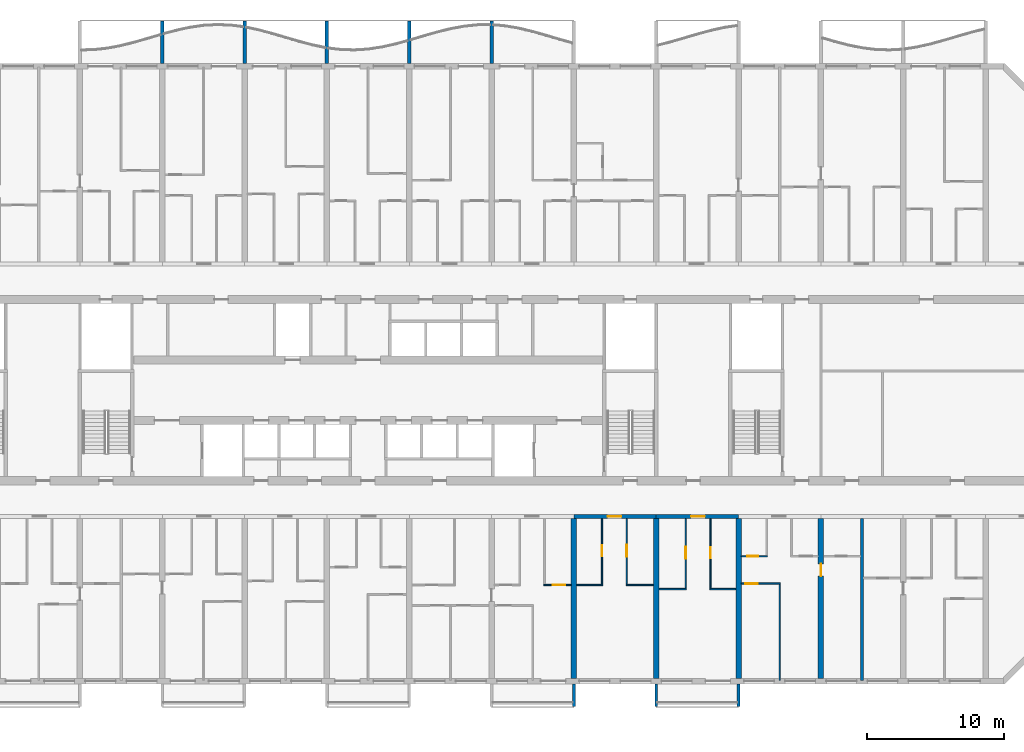
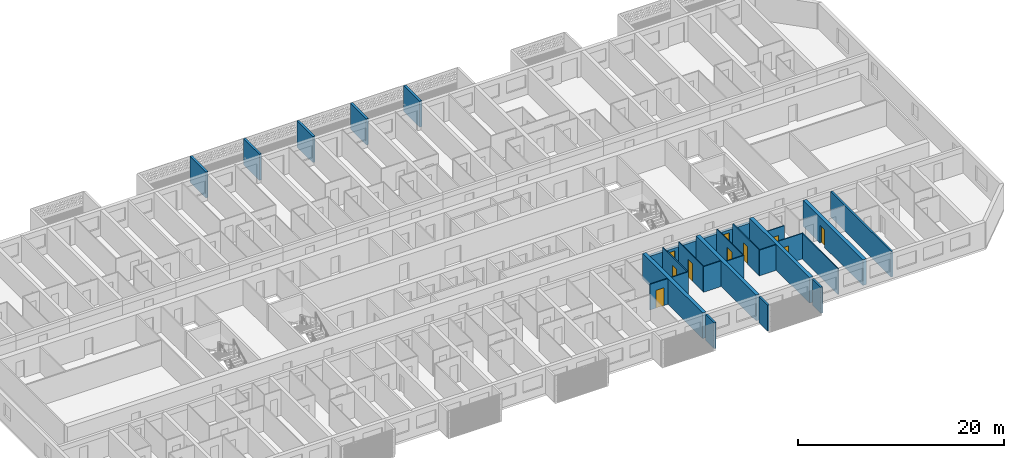
# One storey, part 16 of 44: 27 walls, 10 doors, 10 openings.
"""IFC4 building model written with IfcOpenShell, lengths in metres."""

from ifc_helpers import new_model, si_unit, direction, frame, frame_2d, origin, place, context, subcontext, project, spatial, polyline, rectangle, outline, extrude, source, transform, mapped, material, layer, layer_set, type_object, element, fill, save


model = new_model("IFC4")

# Units and contexts
model_context = context("Model", 3, precision=1e-05, world=origin(), true_north=direction((0.0, 1.0)))
body_context = subcontext(model_context, "Body", "Model", "MODEL_VIEW")
ifc_project = project(units=[si_unit("LENGTHUNIT", "METRE"), si_unit("AREAUNIT", "SQUARE_METRE"), si_unit("VOLUMEUNIT", "CUBIC_METRE"), si_unit("PLANEANGLEUNIT", "RADIAN"), si_unit("MASSUNIT", "GRAM", prefix="KILO")], contexts=[model_context])

# Site, building, storey
site_placement = place(None, origin())
site = spatial("IfcSite", under=ifc_project, at=site_placement, CompositionType="ELEMENT")
building_placement = place(site_placement, origin())
building = spatial("IfcBuilding", under=site, at=building_placement, Name="Poui Terraces", CompositionType="ELEMENT")
storey_placement = place(building_placement, frame((0.0, 0.0, 26.699951171875)))
storey = spatial("IfcBuildingStorey", under=building, at=storey_placement, Name="L06", CompositionType="ELEMENT", Elevation=26.699951171875)

# Wall, opening, door
ifc_material_1 = material(Name="Concrete 80 MPa", Category="concrete")
ifc_layer_1 = layer(ifc_material_1, 0.300048828125)
ifc_layer_set_1 = layer_set([ifc_layer_1], Name="Concrete 80 MPa")
wall_type_1 = type_object("IfcWallType", Name="CORRIDOR WALL 300 80MPa", PredefinedType="SHEAR", material=ifc_layer_set_1)
wall_1_placement = place(storey_placement, frame((66.0, 12.0, 0.0), z_axis=(0.0, 0.0, 1.0), x_axis=(1.0, 0.0, 0.0)))
wall_1 = element("IfcWall", 1, at=wall_1_placement, inside=storey, type_object=wall_type_1, Name="CORRIDOR WALL LINE B BAY 12", PredefinedType="SHEAR", context=body_context, shape_type="SweptSolid", body=[
    extrude(rectangle(XDim=6.0, YDim=0.300048828125, at=frame_2d((3.0, 0.0))), origin(), (0.0, 0.0, 1.0), 2.449951171875),
])
opening_1_placement = place(wall_1_placement, frame((2.449951171875, 0.0, 0.0)))
opening_1 = element("IfcOpeningElement", 2, at=opening_1_placement, cuts=wall_1, Name="Opening FD30S", PredefinedType="OPENING", context=body_context, shape_type="SweptSolid", body=[
    extrude(rectangle(XDim=1.0, YDim=2.10009765625, at=frame_2d((0.5, 1.050048828125))), frame((0.0, 0.16015625, 0.0), z_axis=(0.0, -1.0, 0.0), x_axis=(1.0, 0.0, 0.0)), (0.0, 0.0, 1.0), 0.320068359375),
])
ifc_material_2 = material(Name="Steel fire door", Category="steel")
door_type_1 = type_object("IfcDoorType", Name="FLAT ENTRANCE DOOR 1000 X 2100", OperationType="NOTDEFINED", PredefinedType="DOOR", material=ifc_material_2)
door_1_placement = place(opening_1_placement, frame((1.0, 0.0, 0.0), z_axis=(0.0, 0.0, 1.0), x_axis=(-1.0, 0.0, 0.0)))
door_1 = element("IfcDoor", 3, at=door_1_placement, inside=storey, type_object=door_type_1, Name="FLAT ENTRANCE DOOR 133", OperationType="SINGLE_SWING_RIGHT", OverallHeight=2.10009765625, OverallWidth=1.0, PredefinedType="DOOR", context=body_context, shape_type="SweptSolid", body=[
    extrude(rectangle(XDim=1.0, YDim=2.10009765625, at=frame_2d((0.5, 1.050048828125))), frame((0.0, 0.02490234375, 0.0), z_axis=(0.0, -1.0, 0.0), x_axis=(1.0, 0.0, 0.0)), (0.0, 0.0, 1.0), 0.050048828125),
])
fill(opening_1, door_1)

wall_2_placement = place(storey_placement, frame((72.0, 12.0, 0.0), z_axis=(0.0, 0.0, 1.0), x_axis=(1.0, 0.0, 0.0)))
wall_2 = element("IfcWall", 4, at=wall_2_placement, inside=storey, type_object=wall_type_1, Name="CORRIDOR WALL LINE B BAY 13", PredefinedType="SHEAR", context=body_context, shape_type="SweptSolid", body=[
    extrude(rectangle(XDim=6.0, YDim=0.300048828125, at=frame_2d((3.0, 0.0))), origin(), (0.0, 0.0, 1.0), 2.449951171875),
])
opening_2_placement = place(wall_2_placement, frame((2.550048828125, 0.0, 0.0)))
opening_2 = element("IfcOpeningElement", 5, at=opening_2_placement, cuts=wall_2, Name="Opening FD30S", PredefinedType="OPENING", context=body_context, shape_type="SweptSolid", body=[
    extrude(rectangle(XDim=1.0, YDim=2.10009765625, at=frame_2d((0.5, 1.050048828125))), frame((0.0, 0.16015625, 0.0), z_axis=(0.0, -1.0, 0.0), x_axis=(1.0, 0.0, 0.0)), (0.0, 0.0, 1.0), 0.320068359375),
])
door_2_placement = place(opening_2_placement, frame((1.0, 0.0, 0.0), z_axis=(0.0, 0.0, 1.0), x_axis=(-1.0, 0.0, 0.0)))
door_2 = element("IfcDoor", 6, at=door_2_placement, inside=storey, type_object=door_type_1, Name="FLAT ENTRANCE DOOR 136", OperationType="SINGLE_SWING_LEFT", OverallHeight=2.10009765625, OverallWidth=1.0, PredefinedType="DOOR", context=body_context, shape_type="SweptSolid", body=[
    extrude(rectangle(XDim=1.0, YDim=2.10009765625, at=frame_2d((0.5, 1.050048828125))), frame((0.0, 0.02490234375, 0.0), z_axis=(0.0, -1.0, 0.0), x_axis=(1.0, 0.0, 0.0)), (0.0, 0.0, 1.0), 0.050048828125),
])
fill(opening_2, door_2)

# Walls
ifc_layer_2 = layer(ifc_material_1, 0.39990234375)
ifc_layer_set_2 = layer_set([ifc_layer_2], Name="Concrete 80 MPa")
wall_type_2 = type_object("IfcWallType", Name="CROSS WALL 400 80MPa", PredefinedType="SHEAR", material=ifc_layer_set_2)
for number, where, z_axis, x_axis, name in (
    (7, (66.0, 0.199951171875, 0.0), (0.0, 0.0, 1.0), (0.0, 1.0, 0.0), "CROSS WALL LINE 12 SOUTH"),
    (8, (72.0, 0.199951171875, 0.0), (0.0, 0.0, 1.0), (0.0, 1.0, 0.0), "CROSS WALL LINE 13 SOUTH"),
    (9, (78.0, 0.199951171875, 0.0), (0.0, 0.0, 1.0), (0.0, 1.0, 0.0), "CROSS WALL LINE 14 SOUTH"),
):
    element("IfcWall", number, at=place(storey_placement, frame(where, z_axis=z_axis, x_axis=x_axis)), inside=storey, type_object=wall_type_2, Name=name, PredefinedType="SHEAR", context=body_context, shape_type="SweptSolid", body=[
        extrude(rectangle(XDim=11.650146484375, YDim=0.39990234375, at=frame_2d((5.8251953125, 0.0))), origin(), (0.0, 0.0, 1.0), 3.050048828125),
    ])

# Wall, opening, door
wall_3_placement = place(storey_placement, frame((84.0, 0.199951171875, 0.0), z_axis=(0.0, 0.0, 1.0), x_axis=(0.0, 1.0, 0.0)))
wall_3 = element("IfcWall", 10, at=wall_3_placement, inside=storey, type_object=wall_type_2, Name="CROSS WALL LINE 15 SOUTH", PredefinedType="SHEAR", context=body_context, shape_type="SweptSolid", body=[
    extrude(rectangle(XDim=11.650146484375, YDim=0.39990234375, at=frame_2d((5.8251953125, 0.0))), origin(), (0.0, 0.0, 1.0), 3.050048828125),
])
opening_3_placement = place(wall_3_placement, frame((7.449951171875, 0.0, 0.0)))
opening_3 = element("IfcOpeningElement", 11, at=opening_3_placement, cuts=wall_3, Name="Opening D90", PredefinedType="OPENING", context=body_context, shape_type="SweptSolid", body=[
    extrude(rectangle(XDim=0.89990234375, YDim=2.10009765625, at=frame_2d((0.449951171875, 1.050048828125))), frame((0.0, 0.2099609375, 0.0), z_axis=(0.0, -1.0, 0.0), x_axis=(1.0, 0.0, 0.0)), (0.0, 0.0, 1.0), 0.419921875),
])
ifc_material_3 = material(Name="Solid core timber door", Category="wood")
door_type_2 = type_object("IfcDoorType", Name="INTERNAL DOOR 900 X 2100", OperationType="NOTDEFINED", PredefinedType="DOOR", material=ifc_material_3)
door_3_placement = place(opening_3_placement, frame((0.89990234375, 0.0, 0.0), z_axis=(0.0, 0.0, 1.0), x_axis=(-1.0, 0.0, 0.0)))
door_3 = element("IfcDoor", 12, at=door_3_placement, inside=storey, type_object=door_type_2, Name="INTERNAL DOOR 143", OperationType="SINGLE_SWING_LEFT", OverallHeight=2.10009765625, OverallWidth=0.89990234375, PredefinedType="DOOR", context=body_context, shape_type="SweptSolid", body=[
    extrude(rectangle(XDim=0.89990234375, YDim=2.10009765625, at=frame_2d((0.449951171875, 1.050048828125))), frame((0.0, 0.02490234375, 0.0), z_axis=(0.0, -1.0, 0.0), x_axis=(1.0, 0.0, 0.0)), (0.0, 0.0, 1.0), 0.050048828125),
])
fill(opening_3, door_3)

# Walls
ifc_material_4 = material(Name="Plasterboard partition")
ifc_layer_3 = layer(ifc_material_4, 0.10009765625)
ifc_layer_set_3 = layer_set([ifc_layer_3], Name="Plasterboard partition")
wall_type_3 = type_object("IfcWallType", Name="FLAT PARTITION 100", PredefinedType="PARTITIONING", material=ifc_layer_set_3)
wall_4_placement = place(storey_placement, frame((72.2099609375, 6.699951171875, 0.0), z_axis=(0.0, 0.0, 1.0), x_axis=(1.0, 0.0, 0.0)))
element("IfcWall", 13, at=wall_4_placement, inside=storey, type_object=wall_type_3, Name="FLAT PARTITION 100", PredefinedType="PARTITIONING", context=body_context, shape_type="SweptSolid", body=[
    extrude(rectangle(XDim=1.989990234375, YDim=0.10009765625, at=frame_2d((0.9951171875, 0.0))), origin(), (0.0, 0.0, 1.0), 3.050048828125),
])
wall_5_placement = place(storey_placement, frame((75.89990234375, 6.699951171875, 0.0), z_axis=(0.0, 0.0, 1.0), x_axis=(1.0, 0.0, 0.0)))
element("IfcWall", 14, at=wall_5_placement, inside=storey, type_object=wall_type_3, Name="FLAT PARTITION 100", PredefinedType="PARTITIONING", context=body_context, shape_type="SweptSolid", body=[
    extrude(rectangle(XDim=1.89013671875, YDim=0.10009765625, at=frame_2d((0.945068359375, 0.0))), origin(), (0.0, 0.0, 1.0), 3.050048828125),
])

# Wall, opening, door
wall_6_placement = place(storey_placement, frame((63.800048828125, 7.0, 0.0), z_axis=(0.0, 0.0, 1.0), x_axis=(1.0, 0.0, 0.0)))
wall_6 = element("IfcWall", 15, at=wall_6_placement, inside=storey, type_object=wall_type_3, Name="FLAT PARTITION 100", PredefinedType="PARTITIONING", context=body_context, shape_type="SweptSolid", body=[
    extrude(rectangle(XDim=1.989990234375, YDim=0.10009765625, at=frame_2d((0.9951171875, 0.0))), origin(), (0.0, 0.0, 1.0), 3.050048828125),
])
opening_4_placement = place(wall_6_placement, frame((0.675048828125, 0.0, 0.0)))
opening_4 = element("IfcOpeningElement", 16, at=opening_4_placement, cuts=wall_6, Name="Opening D90", PredefinedType="OPENING", context=body_context, shape_type="SweptSolid", body=[
    extrude(rectangle(XDim=0.89990234375, YDim=2.10009765625, at=frame_2d((0.449951171875, 1.050048828125))), frame((0.0, 0.06005859375, 0.0), z_axis=(0.0, -1.0, 0.0), x_axis=(1.0, 0.0, 0.0)), (0.0, 0.0, 1.0), 0.1201171875),
])
door_4_placement = place(opening_4_placement, origin())
door_4 = element("IfcDoor", 17, at=door_4_placement, inside=storey, type_object=door_type_2, Name="INTERNAL DOOR 131", OperationType="SINGLE_SWING_RIGHT", OverallHeight=2.10009765625, OverallWidth=0.89990234375, PredefinedType="DOOR", context=body_context, shape_type="SweptSolid", body=[
    extrude(rectangle(XDim=0.89990234375, YDim=2.10009765625, at=frame_2d((0.449951171875, 1.050048828125))), frame((0.0, 0.02490234375, 0.0), z_axis=(0.0, -1.0, 0.0), x_axis=(1.0, 0.0, 0.0)), (0.0, 0.0, 1.0), 0.050048828125),
])
fill(opening_4, door_4)

# Walls
wall_7_placement = place(storey_placement, frame((66.2099609375, 7.0, 0.0), z_axis=(0.0, 0.0, 1.0), x_axis=(1.0, 0.0, 0.0)))
element("IfcWall", 18, at=wall_7_placement, inside=storey, type_object=wall_type_3, Name="FLAT PARTITION 100", PredefinedType="PARTITIONING", context=body_context, shape_type="SweptSolid", body=[
    extrude(rectangle(XDim=1.89013671875, YDim=0.10009765625, at=frame_2d((0.945068359375, 0.0))), origin(), (0.0, 0.0, 1.0), 3.050048828125),
])
wall_8_placement = place(storey_placement, frame((69.800048828125, 7.0, 0.0), z_axis=(0.0, 0.0, 1.0), x_axis=(1.0, 0.0, 0.0)))
element("IfcWall", 19, at=wall_8_placement, inside=storey, type_object=wall_type_3, Name="FLAT PARTITION 100", PredefinedType="PARTITIONING", context=body_context, shape_type="SweptSolid", body=[
    extrude(rectangle(XDim=1.989990234375, YDim=0.10009765625, at=frame_2d((0.9951171875, 0.0))), origin(), (0.0, 0.0, 1.0), 3.050048828125),
])

# Wall, opening, door
wall_9_placement = place(storey_placement, frame((78.2099609375, 7.10009765625, 0.0), z_axis=(0.0, 0.0, 1.0), x_axis=(1.0, 0.0, 0.0)))
wall_9 = element("IfcWall", 20, at=wall_9_placement, inside=storey, type_object=wall_type_3, Name="FLAT PARTITION 100", PredefinedType="PARTITIONING", context=body_context, shape_type="SweptSolid", body=[
    extrude(rectangle(XDim=2.840087890625, YDim=0.10009765625, at=frame_2d((1.419921875, 0.0))), origin(), (0.0, 0.0, 1.0), 3.050048828125),
])
opening_5_placement = place(wall_9_placement, frame((0.2900390625, 0.0, 0.0)))
opening_5 = element("IfcOpeningElement", 21, at=opening_5_placement, cuts=wall_9, Name="Opening D90", PredefinedType="OPENING", context=body_context, shape_type="SweptSolid", body=[
    extrude(rectangle(XDim=0.89990234375, YDim=2.10009765625, at=frame_2d((0.449951171875, 1.050048828125))), frame((0.0, 0.06005859375, 0.0), z_axis=(0.0, -1.0, 0.0), x_axis=(1.0, 0.0, 0.0)), (0.0, 0.0, 1.0), 0.1201171875),
])
door_5_placement = place(opening_5_placement, origin())
door_5 = element("IfcDoor", 22, at=door_5_placement, inside=storey, type_object=door_type_2, Name="INTERNAL DOOR 139", OperationType="SINGLE_SWING_RIGHT", OverallHeight=2.10009765625, OverallWidth=0.89990234375, PredefinedType="DOOR", context=body_context, shape_type="SweptSolid", body=[
    extrude(rectangle(XDim=0.89990234375, YDim=2.10009765625, at=frame_2d((0.449951171875, 1.050048828125))), frame((0.0, 0.02490234375, 0.0), z_axis=(0.0, -1.0, 0.0), x_axis=(1.0, 0.0, 0.0)), (0.0, 0.0, 1.0), 0.050048828125),
])
fill(opening_5, door_5)

wall_10_placement = place(storey_placement, frame((78.2099609375, 9.10009765625, 0.0), z_axis=(0.0, 0.0, 1.0), x_axis=(1.0, 0.0, 0.0)))
wall_10 = element("IfcWall", 23, at=wall_10_placement, inside=storey, type_object=wall_type_3, Name="FLAT PARTITION 100", PredefinedType="PARTITIONING", context=body_context, shape_type="SweptSolid", body=[
    extrude(rectangle(XDim=1.89013671875, YDim=0.10009765625, at=frame_2d((0.945068359375, 0.0))), origin(), (0.0, 0.0, 1.0), 3.050048828125),
])
opening_6_placement = place(wall_10_placement, frame((0.4150390625, 0.0, 0.0)))
opening_6 = element("IfcOpeningElement", 24, at=opening_6_placement, cuts=wall_10, Name="Opening D80", PredefinedType="OPENING", context=body_context, shape_type="SweptSolid", body=[
    extrude(rectangle(XDim=0.800048828125, YDim=2.10009765625, at=frame_2d((0.39990234375, 1.050048828125))), frame((0.0, 0.06005859375, 0.0), z_axis=(0.0, -1.0, 0.0), x_axis=(1.0, 0.0, 0.0)), (0.0, 0.0, 1.0), 0.1201171875),
])
door_type_3 = type_object("IfcDoorType", Name="BATHROOM, LAUNDRY AND STORE DOOR 800 X 2100", OperationType="NOTDEFINED", PredefinedType="DOOR", material=ifc_material_3)
door_6_placement = place(opening_6_placement, origin())
door_6 = element("IfcDoor", 25, at=door_6_placement, inside=storey, type_object=door_type_3, Name="BATHROOM, LAUNDRY AND STORE DOOR 140", OperationType="SINGLE_SWING_LEFT", OverallHeight=2.10009765625, OverallWidth=0.800048828125, PredefinedType="DOOR", context=body_context, shape_type="SweptSolid", body=[
    extrude(rectangle(XDim=0.800048828125, YDim=2.10009765625, at=frame_2d((0.39990234375, 1.050048828125))), frame((0.0, 0.02490234375, 0.0), z_axis=(0.0, -1.0, 0.0), x_axis=(1.0, 0.0, 0.0)), (0.0, 0.0, 1.0), 0.050048828125),
])
fill(opening_6, door_6)

wall_11_placement = place(storey_placement, frame((68.050048828125, 7.050048828125, 0.0), z_axis=(0.0, 0.0, 1.0), x_axis=(0.0, 1.0, 0.0)))
wall_11 = element("IfcWall", 26, at=wall_11_placement, inside=storey, type_object=wall_type_3, Name="FLAT PARTITION 100", PredefinedType="PARTITIONING", context=body_context, shape_type="SweptSolid", body=[
    extrude(rectangle(XDim=4.7900390625, YDim=0.10009765625, at=frame_2d((2.39501953125, 0.0))), origin(), (0.0, 0.0, 1.0), 3.050048828125),
])
opening_7_placement = place(wall_11_placement, frame((2.050048828125, 0.0, 0.0)))
opening_7 = element("IfcOpeningElement", 27, at=opening_7_placement, cuts=wall_11, Name="Opening D80", PredefinedType="OPENING", context=body_context, shape_type="SweptSolid", body=[
    extrude(rectangle(XDim=0.800048828125, YDim=2.10009765625, at=frame_2d((0.39990234375, 1.050048828125))), frame((0.0, 0.06005859375, 0.0), z_axis=(0.0, -1.0, 0.0), x_axis=(1.0, 0.0, 0.0)), (0.0, 0.0, 1.0), 0.1201171875),
])
door_7_placement = place(opening_7_placement, origin())
door_7 = element("IfcDoor", 28, at=door_7_placement, inside=storey, type_object=door_type_3, Name="BATHROOM, LAUNDRY AND STORE DOOR 132", OperationType="SINGLE_SWING_RIGHT", OverallHeight=2.10009765625, OverallWidth=0.800048828125, PredefinedType="DOOR", context=body_context, shape_type="SweptSolid", body=[
    extrude(rectangle(XDim=0.800048828125, YDim=2.10009765625, at=frame_2d((0.39990234375, 1.050048828125))), frame((0.0, 0.02490234375, 0.0), z_axis=(0.0, -1.0, 0.0), x_axis=(1.0, 0.0, 0.0)), (0.0, 0.0, 1.0), 0.050048828125),
])
fill(opening_7, door_7)

wall_12_placement = place(storey_placement, frame((69.85009765625, 7.050048828125, 0.0), z_axis=(0.0, 0.0, 1.0), x_axis=(0.0, 1.0, 0.0)))
wall_12 = element("IfcWall", 29, at=wall_12_placement, inside=storey, type_object=wall_type_3, Name="FLAT PARTITION 100", PredefinedType="PARTITIONING", context=body_context, shape_type="SweptSolid", body=[
    extrude(rectangle(XDim=4.7900390625, YDim=0.10009765625, at=frame_2d((2.39501953125, 0.0))), origin(), (0.0, 0.0, 1.0), 3.050048828125),
])
opening_8_placement = place(wall_12_placement, frame((2.0, 0.0, 0.0)))
opening_8 = element("IfcOpeningElement", 30, at=opening_8_placement, cuts=wall_12, Name="Opening D90", PredefinedType="OPENING", context=body_context, shape_type="SweptSolid", body=[
    extrude(rectangle(XDim=0.89990234375, YDim=2.10009765625, at=frame_2d((0.449951171875, 1.050048828125))), frame((0.0, 0.06005859375, 0.0), z_axis=(0.0, -1.0, 0.0), x_axis=(1.0, 0.0, 0.0)), (0.0, 0.0, 1.0), 0.1201171875),
])
door_8_placement = place(opening_8_placement, frame((0.89990234375, 0.0, 0.0), z_axis=(0.0, 0.0, 1.0), x_axis=(-1.0, 0.0, 0.0)))
door_8 = element("IfcDoor", 31, at=door_8_placement, inside=storey, type_object=door_type_2, Name="INTERNAL DOOR 134", OperationType="SINGLE_SWING_RIGHT", OverallHeight=2.10009765625, OverallWidth=0.89990234375, PredefinedType="DOOR", context=body_context, shape_type="SweptSolid", body=[
    extrude(rectangle(XDim=0.89990234375, YDim=2.10009765625, at=frame_2d((0.449951171875, 1.050048828125))), frame((0.0, 0.02490234375, 0.0), z_axis=(0.0, -1.0, 0.0), x_axis=(1.0, 0.0, 0.0)), (0.0, 0.0, 1.0), 0.050048828125),
])
fill(opening_8, door_8)

wall_13_placement = place(storey_placement, frame((74.14990234375, 6.75, 0.0), z_axis=(0.0, 0.0, 1.0), x_axis=(0.0, 1.0, 0.0)))
wall_13 = element("IfcWall", 32, at=wall_13_placement, inside=storey, type_object=wall_type_3, Name="FLAT PARTITION 100", PredefinedType="PARTITIONING", context=body_context, shape_type="SweptSolid", body=[
    extrude(rectangle(XDim=5.090087890625, YDim=0.10009765625, at=frame_2d((2.544921875, 0.0))), origin(), (0.0, 0.0, 1.0), 3.050048828125),
])
opening_9_placement = place(wall_13_placement, frame((2.14990234375, 0.0, 0.0)))
opening_9 = element("IfcOpeningElement", 33, at=opening_9_placement, cuts=wall_13, Name="Opening D90", PredefinedType="OPENING", context=body_context, shape_type="SweptSolid", body=[
    extrude(rectangle(XDim=0.89990234375, YDim=2.10009765625, at=frame_2d((0.449951171875, 1.050048828125))), frame((0.0, 0.06005859375, 0.0), z_axis=(0.0, -1.0, 0.0), x_axis=(1.0, 0.0, 0.0)), (0.0, 0.0, 1.0), 0.1201171875),
])
door_9_placement = place(opening_9_placement, origin())
door_9 = element("IfcDoor", 34, at=door_9_placement, inside=storey, type_object=door_type_2, Name="INTERNAL DOOR 135", OperationType="SINGLE_SWING_LEFT", OverallHeight=2.10009765625, OverallWidth=0.89990234375, PredefinedType="DOOR", context=body_context, shape_type="SweptSolid", body=[
    extrude(rectangle(XDim=0.89990234375, YDim=2.10009765625, at=frame_2d((0.449951171875, 1.050048828125))), frame((0.0, 0.02490234375, 0.0), z_axis=(0.0, -1.0, 0.0), x_axis=(1.0, 0.0, 0.0)), (0.0, 0.0, 1.0), 0.050048828125),
])
fill(opening_9, door_9)

wall_14_placement = place(storey_placement, frame((75.949951171875, 6.75, 0.0), z_axis=(0.0, 0.0, 1.0), x_axis=(0.0, 1.0, 0.0)))
wall_14 = element("IfcWall", 35, at=wall_14_placement, inside=storey, type_object=wall_type_3, Name="FLAT PARTITION 100", PredefinedType="PARTITIONING", context=body_context, shape_type="SweptSolid", body=[
    extrude(rectangle(XDim=5.090087890625, YDim=0.10009765625, at=frame_2d((2.544921875, 0.0))), origin(), (0.0, 0.0, 1.0), 3.050048828125),
])
opening_10_placement = place(wall_14_placement, frame((2.199951171875, 0.0, 0.0)))
opening_10 = element("IfcOpeningElement", 36, at=opening_10_placement, cuts=wall_14, Name="Opening D80", PredefinedType="OPENING", context=body_context, shape_type="SweptSolid", body=[
    extrude(rectangle(XDim=0.800048828125, YDim=2.10009765625, at=frame_2d((0.39990234375, 1.050048828125))), frame((0.0, 0.06005859375, 0.0), z_axis=(0.0, -1.0, 0.0), x_axis=(1.0, 0.0, 0.0)), (0.0, 0.0, 1.0), 0.1201171875),
])
door_10_placement = place(opening_10_placement, frame((0.800048828125, 0.0, 0.0), z_axis=(0.0, 0.0, 1.0), x_axis=(-1.0, 0.0, 0.0)))
door_10 = element("IfcDoor", 37, at=door_10_placement, inside=storey, type_object=door_type_3, Name="BATHROOM, LAUNDRY AND STORE DOOR 137", OperationType="SINGLE_SWING_LEFT", OverallHeight=2.10009765625, OverallWidth=0.800048828125, PredefinedType="DOOR", context=body_context, shape_type="SweptSolid", body=[
    extrude(rectangle(XDim=0.800048828125, YDim=2.10009765625, at=frame_2d((0.39990234375, 1.050048828125))), frame((0.0, 0.02490234375, 0.0), z_axis=(0.0, -1.0, 0.0), x_axis=(1.0, 0.0, 0.0)), (0.0, 0.0, 1.0), 0.050048828125),
])
fill(opening_10, door_10)

# Walls
wall_15_placement = place(storey_placement, frame((81.0, 0.06005859375, 0.0), z_axis=(0.0, 0.0, 1.0), x_axis=(0.0, 1.0, 0.0)))
element("IfcWall", 38, at=wall_15_placement, inside=storey, type_object=wall_type_3, Name="FLAT PARTITION 100", PredefinedType="PARTITIONING", context=body_context, shape_type="SweptSolid", body=[
    extrude(rectangle(XDim=6.989990234375, YDim=0.10009765625, at=frame_2d((3.4951171875, 0.0))), origin(), (0.0, 0.0, 1.0), 3.050048828125),
])
ifc_material_5 = material(Name="Fire-rated masonry wall", Category="masonry")
ifc_layer_4 = layer(ifc_material_5, 0.199951171875)
ifc_layer_set_4 = layer_set([ifc_layer_4], Name="Fire-rated masonry wall")
wall_type_4 = type_object("IfcWallType", Name="FLAT PARTY WALL 200", PredefinedType="PARTITIONING", material=ifc_layer_set_4)
wall_16_placement = place(storey_placement, frame((87.0, 0.06005859375, 0.0), z_axis=(0.0, 0.0, 1.0), x_axis=(0.0, 1.0, 0.0)))
element("IfcWall", 39, at=wall_16_placement, inside=storey, type_object=wall_type_4, Name="FLAT PARTY WALL 200", PredefinedType="PARTITIONING", context=body_context, shape_type="SweptSolid", body=[
    extrude(rectangle(XDim=11.780029296875, YDim=0.199951171875, at=frame_2d((5.89013671875, 0.0))), origin(), (0.0, 0.0, 1.0), 3.050048828125),
])
ifc_material_6 = material(Name="Precast concrete 40 MPa", Category="concrete")
ifc_layer_5 = layer(ifc_material_6, 0.199951171875)
ifc_layer_set_5 = layer_set([ifc_layer_5], Name="Precast concrete 40 MPa")
wall_type_5 = type_object("IfcWallType", Name="REAR FIN 200", PredefinedType="STANDARD", material=ifc_layer_set_5)
shared_shape_1 = source(origin(), body_context, "Body", "SweptSolid", [
    extrude(outline(polyline([(0.0, 0.0), (0.2001953125, 0.0), (0.2001953125, 1.650146484375), (0.0, 1.650146484375), (0.0, 0.0)])), origin(), (0.0, 0.0, 1.0), 3.10009765625),
])
for number, where, name in (
    (40, (65.89990234375, -1.85009765625, 0.0), "REAR FIN"),
    (41, (71.89990234375, -1.85009765625, 0.0), "REAR FIN"),
    (42, (77.89990234375, -1.85009765625, 0.0), "REAR FIN"),
):
    element("IfcWall", number, at=place(storey_placement, frame(where)), inside=storey, type_object=wall_type_5, Name=name, PredefinedType="STANDARD", context=body_context, shape_type="MappedRepresentation", body=[
        mapped(shared_shape_1, transform((0.0, 0.0, 0.0))),
    ])
ifc_layer_6 = layer(ifc_material_6, 0.25)
ifc_layer_set_6 = layer_set([ifc_layer_6], Name="Precast concrete 40 MPa")
wall_type_6 = type_object("IfcWallType", Name="BALCONY FIN 250", PredefinedType="STANDARD", material=ifc_layer_set_6)
shared_shape_2 = source(origin(), body_context, "Body", "SweptSolid", [
    extrude(outline(polyline([(0.0, 0.0), (0.25, 0.0), (0.25, 3.10009765625), (0.0, 3.10009765625), (0.0, 0.0)])), origin(), (0.0, 0.0, 1.0), 3.10009765625),
])
for number, where, name in (
    (43, (35.875, 45.0, 0.0), "BALCONY FIN"),
    (44, (41.875, 45.0, 0.0), "BALCONY FIN"),
    (45, (47.875, 45.0, 0.0), "BALCONY FIN"),
    (46, (53.875, 45.0, 0.0), "BALCONY FIN"),
    (47, (59.875, 45.0, 0.0), "BALCONY FIN"),
):
    element("IfcWall", number, at=place(storey_placement, frame(where)), inside=storey, type_object=wall_type_6, Name=name, PredefinedType="STANDARD", context=body_context, shape_type="MappedRepresentation", body=[
        mapped(shared_shape_2, transform((0.0, 0.0, 0.0))),
    ])

save(model, "model.ifc")
